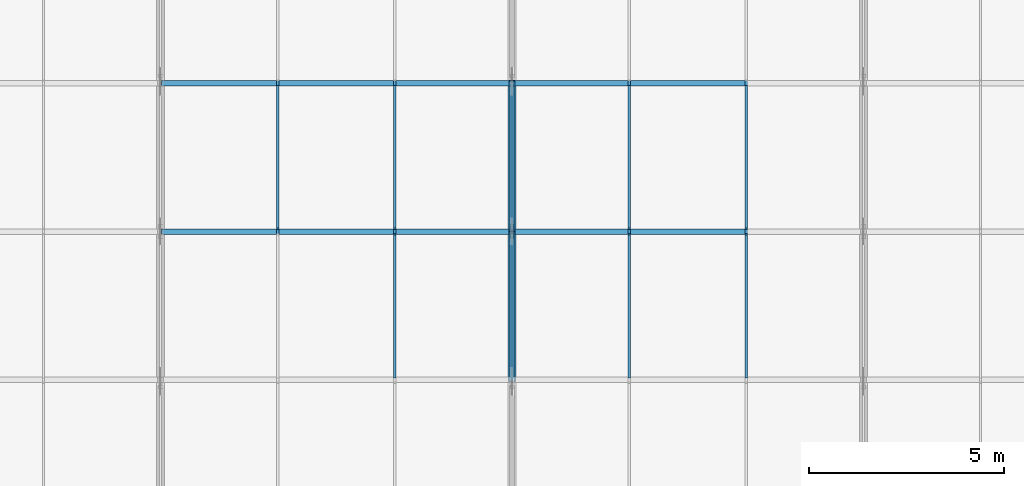
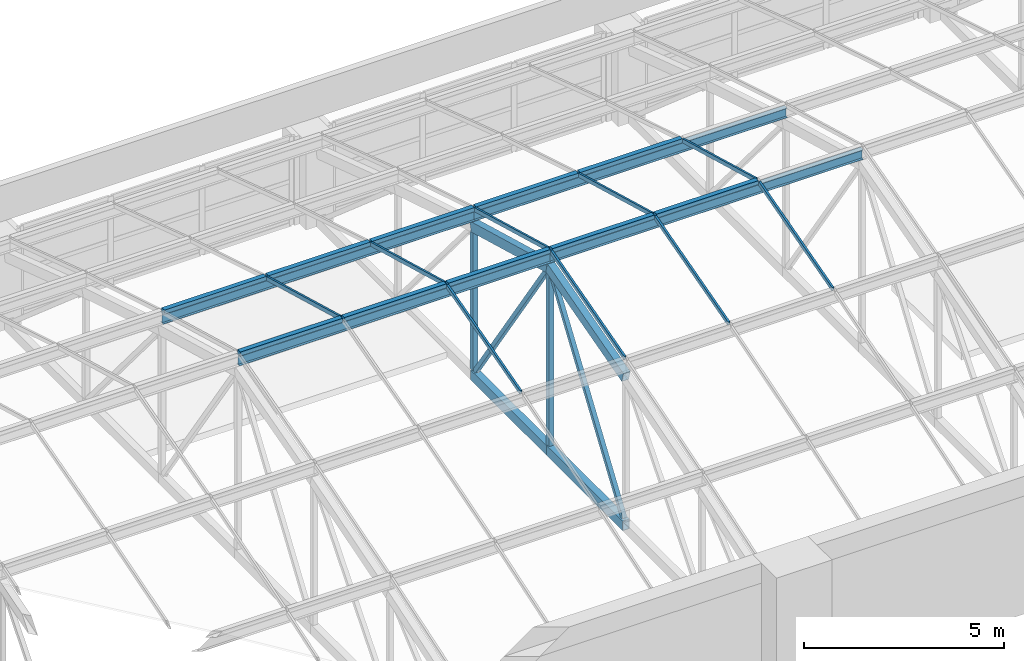
# One storey, part 32 of 82: 31 members, 1 element without a shape of its own.
"""IFC4 building model written with IfcOpenShell, lengths in metres."""

from ifc_helpers import new_model, si_unit, direction, frame, origin, origin_2d, place, context, subcontext, project, spatial, rectangle, hollow_rectangle, i_section, extrude, material, material_profile, profile_set, type_object, element, aggregate, save


model = new_model("IFC4")

# Units and contexts
model_context = context("Model", 3, precision=1e-05, world=origin(), true_north=direction((0.0, 1.0)))
body_context = subcontext(model_context, "Body", "Model", "MODEL_VIEW")
ifc_project = project(units=[si_unit("LENGTHUNIT", "METRE"), si_unit("AREAUNIT", "SQUARE_METRE"), si_unit("VOLUMEUNIT", "CUBIC_METRE"), si_unit("PLANEANGLEUNIT", "RADIAN"), si_unit("MASSUNIT", "GRAM", prefix="KILO")], contexts=[model_context])

# Site, building, storey
site_placement = place(None, origin())
site = spatial("IfcSite", under=ifc_project, at=site_placement, CompositionType="ELEMENT")
building_placement = place(site_placement, origin())
building = spatial("IfcBuilding", under=site, at=building_placement, Name="Aravalli Gate Trade Fair Centre", CompositionType="ELEMENT")
storey_placement = place(building_placement, frame((0.0, 0.0, 19.199951171875)))
storey = spatial("IfcBuildingStorey", under=building, at=storey_placement, Name="L04", CompositionType="ELEMENT", Elevation=19.199951171875)

# Members
ifc_material_1 = material(Name="Steel E350", Category="steel")
ifc_material_profile_1 = material_profile(ifc_material_1, i_section(OverallWidth=0.139892578125, OverallDepth=0.300048828125, WebThickness=0.0078125, FlangeThickness=0.01318359375, at=origin_2d()), Name="ISMB 300")
ifc_profile_set_1 = profile_set([ifc_material_profile_1], Name="Steel E350")
member_type_1 = type_object("IfcMemberType", Name="ISMB 300 roof purlin", PredefinedType="PURLIN", material=ifc_profile_set_1)
for number, where, z_axis, x_axis, name in (
    (1, (123.0, 121.10009765625, 6.030029296875), (1.0, 0.0, 0.0), (0.0, 1.0, 0.0), "Vault purlin 14-15 F3"),
    (2, (123.0, 124.89990234375, 4.999267578125), (1.0, 0.0, 0.0), (0.0, 1.0, 0.0), "Vault purlin 14-15 F4"),
    (3, (132.0, 121.10009765625, 6.030029296875), (1.0, 0.0, 0.0), (0.0, 1.0, 0.0), "Vault purlin 15-16 F3"),
    (4, (132.0, 124.89990234375, 4.999267578125), (1.0, 0.0, 0.0), (0.0, 1.0, 0.0), "Vault purlin 15-16 F4"),
):
    element("IfcMember", number, at=place(storey_placement, frame(where, z_axis=z_axis, x_axis=x_axis)), inside=storey, type_object=member_type_1, Name=name, PredefinedType="PURLIN", context=body_context, shape_type="SweptSolid", body=[
        extrude(i_section(OverallWidth=0.139892578125, OverallDepth=0.300048828125, WebThickness=0.0078125, FlangeThickness=0.01318359375, at=origin_2d()), origin(), (0.0, 0.0, 1.0), 9.0),
    ])
ifc_material_profile_2 = material_profile(ifc_material_1, hollow_rectangle(XDim=0.199951171875, YDim=0.300048828125, WallThickness=0.011962890625, at=origin_2d()), Name="RHS 300x200x12")
ifc_profile_set_2 = profile_set([ifc_material_profile_2], Name="Steel E350")
member_type_2 = type_object("IfcMemberType", Name="RHS 300x200x12 CT1 truss chord", PredefinedType="CHORD", material=ifc_profile_set_2)
member_1_placement = place(storey_placement, frame((132.0, 117.300048828125, 4.674560546875), z_axis=(0.0, 0.963894016224, 0.266286172166), x_axis=(-1.0, 0.0, 0.0)))
element("IfcMember", 5, at=member_1_placement, inside=storey, type_object=member_type_2, Name="Concourse vault truss CT1 line 15 top chord T3", PredefinedType="CHORD", context=body_context, shape_type="SweptSolid", body=[
    extrude(hollow_rectangle(XDim=0.199951171875, YDim=0.300048828125, WallThickness=0.011962890625, at=origin_2d()), origin(), (0.0, 0.0, 1.0), 3.9423828125),
])
member_2_placement = place(storey_placement, frame((132.0, 117.300048828125, 0.150146484375), z_axis=(0.0, 1.0, 0.0), x_axis=(-1.0, 0.0, 0.0)))
element("IfcMember", 6, at=member_2_placement, inside=storey, type_object=member_type_2, Name="Concourse vault truss CT1 line 15 bottom chord B3", PredefinedType="CHORD", context=body_context, shape_type="SweptSolid", body=[
    extrude(hollow_rectangle(XDim=0.199951171875, YDim=0.300048828125, WallThickness=0.011962890625, at=origin_2d()), origin(), (0.0, 0.0, 1.0), 3.800048828125),
])
member_3_placement = place(storey_placement, frame((132.0, 121.10009765625, 5.724365234375), z_axis=(0.0, 0.96388962469, -0.266302067988), x_axis=(-1.0, 0.0, 0.0)))
element("IfcMember", 7, at=member_3_placement, inside=storey, type_object=member_type_2, Name="Concourse vault truss CT1 line 15 top chord T4", PredefinedType="CHORD", context=body_context, shape_type="SweptSolid", body=[
    extrude(hollow_rectangle(XDim=0.199951171875, YDim=0.300048828125, WallThickness=0.011962890625, at=origin_2d()), origin(), (0.0, 0.0, 1.0), 3.942138671875),
])
member_4_placement = place(storey_placement, frame((132.0, 121.10009765625, 0.150146484375), z_axis=(0.0, 1.0, 0.0), x_axis=(-1.0, 0.0, 0.0)))
element("IfcMember", 8, at=member_4_placement, inside=storey, type_object=member_type_2, Name="Concourse vault truss CT1 line 15 bottom chord B4", PredefinedType="CHORD", context=body_context, shape_type="SweptSolid", body=[
    extrude(hollow_rectangle(XDim=0.199951171875, YDim=0.300048828125, WallThickness=0.011962890625, at=origin_2d()), origin(), (0.0, 0.0, 1.0), 3.7998046875),
])
ifc_material_profile_3 = material_profile(ifc_material_1, hollow_rectangle(XDim=0.125, YDim=0.125, WallThickness=0.006103515625, at=origin_2d()), Name="SHS 125x125x6")
ifc_profile_set_3 = profile_set([ifc_material_profile_3], Name="Steel E350")
member_type_3 = type_object("IfcMemberType", Name="SHS 125x125x6 CT1 truss diagonal", PredefinedType="BRACE", material=ifc_profile_set_3)
for number, where, z_axis, x_axis, name in (
    (9, (132.0, 117.40234375, 0.300048828125), (0.0, 0.5632471019, 0.826288510268), (-1.0, 0.0, 0.0), "Concourse vault truss CT1 line 15 diagonal D3"),
    (10, (132.0, 121.230712890625, 5.53271484375), (0.0, 0.5632471019, -0.826288510268), (-1.0, 0.0, 0.0), "Concourse vault truss CT1 line 15 diagonal D4"),
):
    element("IfcMember", number, at=place(storey_placement, frame(where, z_axis=z_axis, x_axis=x_axis)), inside=storey, type_object=member_type_3, Name=name, PredefinedType="BRACE", context=body_context, shape_type="SweptSolid", body=[
        extrude(hollow_rectangle(XDim=0.125, YDim=0.125, WallThickness=0.006103515625, at=origin_2d()), origin(), (0.0, 0.0, 1.0), 6.332763671875),
    ])
ifc_material_profile_4 = material_profile(ifc_material_1, hollow_rectangle(XDim=0.14990234375, YDim=0.14990234375, WallThickness=0.006103515625, at=origin_2d()), Name="SHS 150x150x6")
ifc_profile_set_4 = profile_set([ifc_material_profile_4], Name="Steel E350")
member_type_4 = type_object("IfcMemberType", Name="SHS 150x150x6 CT1 truss post", PredefinedType="POST", material=ifc_profile_set_4)
member_5_placement = place(storey_placement, frame((132.0, 121.10009765625, 0.300048828125), z_axis=(0.0, 0.0, 1.0), x_axis=(1.0, 0.0, 0.0)))
element("IfcMember", 11, at=member_5_placement, inside=storey, type_object=member_type_4, Name="Concourse vault truss CT1 line 15 post V3", PredefinedType="POST", context=body_context, shape_type="SweptSolid", body=[
    extrude(hollow_rectangle(XDim=0.14990234375, YDim=0.14990234375, WallThickness=0.006103515625, at=origin_2d()), origin(), (0.0, 0.0, 1.0), 5.268798828125),
])
member_6_placement = place(storey_placement, frame((132.0, 124.89990234375, 0.300048828125), z_axis=(0.0, 0.0, 1.0), x_axis=(1.0, 0.0, 0.0)))
element("IfcMember", 12, at=member_6_placement, inside=storey, type_object=member_type_4, Name="Concourse vault truss CT1 line 15 post V4", PredefinedType="POST", context=body_context, shape_type="SweptSolid", body=[
    extrude(hollow_rectangle(XDim=0.14990234375, YDim=0.14990234375, WallThickness=0.006103515625, at=origin_2d()), origin(), (0.0, 0.0, 1.0), 4.216552734375),
])
ifc_material_2 = material(Name="Aluminium", Category="aluminium")
ifc_material_profile_5 = material_profile(ifc_material_2, rectangle(XDim=0.139892578125, YDim=0.1201171875, at=origin_2d()), Name="Vault fold cap 140 x 120")
ifc_profile_set_5 = profile_set([ifc_material_profile_5], Name="Aluminium")
member_type_5 = type_object("IfcMemberType", Name="Vault fold cap 140 x 120", PredefinedType="USERDEFINED", material=ifc_profile_set_5)
for number, where, z_axis, x_axis, name in (
    (13, (123.030029296875, 121.10009765625, 6.239990234375), (1.0, 0.0, 0.0), (0.0, 1.0, 0.0), "Vault fold cap e8.3"),
    (14, (123.030029296875, 124.89990234375, 5.209228515625), (1.0, 0.0, 0.0), (0.0, 1.0, 0.0), "Vault fold cap e8.4"),
    (15, (126.030029296875, 121.10009765625, 6.239990234375), (1.0, 0.0, 0.0), (0.0, 1.0, 0.0), "Vault fold cap e9.3"),
    (16, (126.030029296875, 124.89990234375, 5.209228515625), (1.0, 0.0, 0.0), (0.0, 1.0, 0.0), "Vault fold cap e9.4"),
    (17, (129.030029296875, 121.10009765625, 6.239990234375), (1.0, 0.0, 0.0), (0.0, 1.0, 0.0), "Vault fold cap e10.3"),
    (18, (129.030029296875, 124.89990234375, 5.209228515625), (1.0, 0.0, 0.0), (0.0, 1.0, 0.0), "Vault fold cap e10.4"),
    (19, (132.030029296875, 121.10009765625, 6.239990234375), (1.0, 0.0, 0.0), (0.0, 1.0, 0.0), "Vault fold cap e11.3"),
    (20, (132.030029296875, 124.89990234375, 5.209228515625), (1.0, 0.0, 0.0), (0.0, 1.0, 0.0), "Vault fold cap e11.4"),
    (21, (135.030029296875, 121.10009765625, 6.239990234375), (1.0, 0.0, 0.0), (0.0, 1.0, 0.0), "Vault fold cap e12.3"),
    (22, (135.030029296875, 124.89990234375, 5.209228515625), (1.0, 0.0, 0.0), (0.0, 1.0, 0.0), "Vault fold cap e12.4"),
):
    element("IfcMember", number, at=place(storey_placement, frame(where, z_axis=z_axis, x_axis=x_axis)), inside=storey, type_object=member_type_5, Name=name, ObjectType="FOLD CAP", PredefinedType="USERDEFINED", context=body_context, shape_type="SweptSolid", body=[
        extrude(rectangle(XDim=0.139892578125, YDim=0.1201171875, at=origin_2d()), origin(), (0.0, 0.0, 1.0), 2.93994140625),
    ])

# Curtain wall, members
ifc_material_3 = material(Name="Aluminium and glass", Category="aluminium")
curtain_wall_type = type_object("IfcCurtainWallType", Name="Vault curtain wall, sloped glazing", PredefinedType="NOTDEFINED", material=ifc_material_3)
curtain_wall_placement = place(storey_placement, origin())
curtain_wall = element("IfcCurtainWall", 23, at=curtain_wall_placement, inside=storey, type_object=curtain_wall_type, Name="Vault curtain wall e", PredefinedType="NOTDEFINED")
ifc_material_profile_6 = material_profile(ifc_material_2, rectangle(XDim=0.06005859375, YDim=0.1201171875, at=origin_2d()), Name="Vault glazing bar 60 x 120")
ifc_profile_set_6 = profile_set([ifc_material_profile_6], Name="Aluminium")
member_type_6 = type_object("IfcMemberType", Name="Vault glazing bar 60 x 120", PredefinedType="USERDEFINED", material=ifc_profile_set_6)
member_7_placement = place(storey_placement, frame((126.0, 121.169921875, 6.218505859375), z_axis=(0.0, 0.963872602318, -0.266363673386), x_axis=(-1.0, 0.0, 0.0)))
member_7 = element("IfcMember", 24, at=member_7_placement, type_object=member_type_6, Name="Vault glazing bar e9.4", ObjectType="GLAZING BAR", PredefinedType="USERDEFINED", context=body_context, shape_type="SweptSolid", body=[
    extrude(rectangle(XDim=0.06005859375, YDim=0.1201171875, at=origin_2d()), origin(), (0.0, 0.0, 1.0), 3.79736328125),
])
member_8_placement = place(storey_placement, frame((129.0, 117.3701171875, 5.20703125), z_axis=(0.0, 0.96386804037, 0.266380180859), x_axis=(-1.0, 0.0, 0.0)))
member_8 = element("IfcMember", 25, at=member_8_placement, type_object=member_type_6, Name="Vault glazing bar e10.3", ObjectType="GLAZING BAR", PredefinedType="USERDEFINED", context=body_context, shape_type="SweptSolid", body=[
    extrude(rectangle(XDim=0.06005859375, YDim=0.1201171875, at=origin_2d()), origin(), (0.0, 0.0, 1.0), 3.797119140625),
])
member_9_placement = place(storey_placement, frame((129.0, 121.169921875, 6.218505859375), z_axis=(0.0, 0.963872602318, -0.266363673386), x_axis=(-1.0, 0.0, 0.0)))
member_9 = element("IfcMember", 26, at=member_9_placement, type_object=member_type_6, Name="Vault glazing bar e10.4", ObjectType="GLAZING BAR", PredefinedType="USERDEFINED", context=body_context, shape_type="SweptSolid", body=[
    extrude(rectangle(XDim=0.06005859375, YDim=0.1201171875, at=origin_2d()), origin(), (0.0, 0.0, 1.0), 3.79736328125),
])
member_10_placement = place(storey_placement, frame((132.0, 117.3701171875, 5.20703125), z_axis=(0.0, 0.96386804037, 0.266380180859), x_axis=(-1.0, 0.0, 0.0)))
member_10 = element("IfcMember", 27, at=member_10_placement, type_object=member_type_6, Name="Vault glazing bar e11.3", ObjectType="GLAZING BAR", PredefinedType="USERDEFINED", context=body_context, shape_type="SweptSolid", body=[
    extrude(rectangle(XDim=0.06005859375, YDim=0.1201171875, at=origin_2d()), origin(), (0.0, 0.0, 1.0), 3.797119140625),
])
member_11_placement = place(storey_placement, frame((132.0, 121.169921875, 6.218505859375), z_axis=(0.0, 0.963872602318, -0.266363673386), x_axis=(-1.0, 0.0, 0.0)))
member_11 = element("IfcMember", 28, at=member_11_placement, type_object=member_type_6, Name="Vault glazing bar e11.4", ObjectType="GLAZING BAR", PredefinedType="USERDEFINED", context=body_context, shape_type="SweptSolid", body=[
    extrude(rectangle(XDim=0.06005859375, YDim=0.1201171875, at=origin_2d()), origin(), (0.0, 0.0, 1.0), 3.79736328125),
])
member_12_placement = place(storey_placement, frame((135.0, 117.3701171875, 5.20703125), z_axis=(0.0, 0.96386804037, 0.266380180859), x_axis=(-1.0, 0.0, 0.0)))
member_12 = element("IfcMember", 29, at=member_12_placement, type_object=member_type_6, Name="Vault glazing bar e12.3", ObjectType="GLAZING BAR", PredefinedType="USERDEFINED", context=body_context, shape_type="SweptSolid", body=[
    extrude(rectangle(XDim=0.06005859375, YDim=0.1201171875, at=origin_2d()), origin(), (0.0, 0.0, 1.0), 3.797119140625),
])
member_13_placement = place(storey_placement, frame((135.0, 121.169921875, 6.218505859375), z_axis=(0.0, 0.963872602318, -0.266363673386), x_axis=(-1.0, 0.0, 0.0)))
member_13 = element("IfcMember", 30, at=member_13_placement, type_object=member_type_6, Name="Vault glazing bar e12.4", ObjectType="GLAZING BAR", PredefinedType="USERDEFINED", context=body_context, shape_type="SweptSolid", body=[
    extrude(rectangle(XDim=0.06005859375, YDim=0.1201171875, at=origin_2d()), origin(), (0.0, 0.0, 1.0), 3.79736328125),
])
member_14_placement = place(storey_placement, frame((138.0, 117.3701171875, 5.20703125), z_axis=(0.0, 0.96386804037, 0.266380180859), x_axis=(-1.0, 0.0, 0.0)))
member_14 = element("IfcMember", 31, at=member_14_placement, type_object=member_type_6, Name="Vault glazing bar e13.3", ObjectType="GLAZING BAR", PredefinedType="USERDEFINED", context=body_context, shape_type="SweptSolid", body=[
    extrude(rectangle(XDim=0.06005859375, YDim=0.1201171875, at=origin_2d()), origin(), (0.0, 0.0, 1.0), 3.797119140625),
])
member_15_placement = place(storey_placement, frame((138.0, 121.169921875, 6.218505859375), z_axis=(0.0, 0.963872602318, -0.266363673386), x_axis=(-1.0, 0.0, 0.0)))
member_15 = element("IfcMember", 32, at=member_15_placement, type_object=member_type_6, Name="Vault glazing bar e13.4", ObjectType="GLAZING BAR", PredefinedType="USERDEFINED", context=body_context, shape_type="SweptSolid", body=[
    extrude(rectangle(XDim=0.06005859375, YDim=0.1201171875, at=origin_2d()), origin(), (0.0, 0.0, 1.0), 3.79736328125),
])
aggregate(curtain_wall, [member_7, member_8, member_9, member_10, member_11, member_12, member_13, member_14, member_15])

save(model, "model.ifc")
